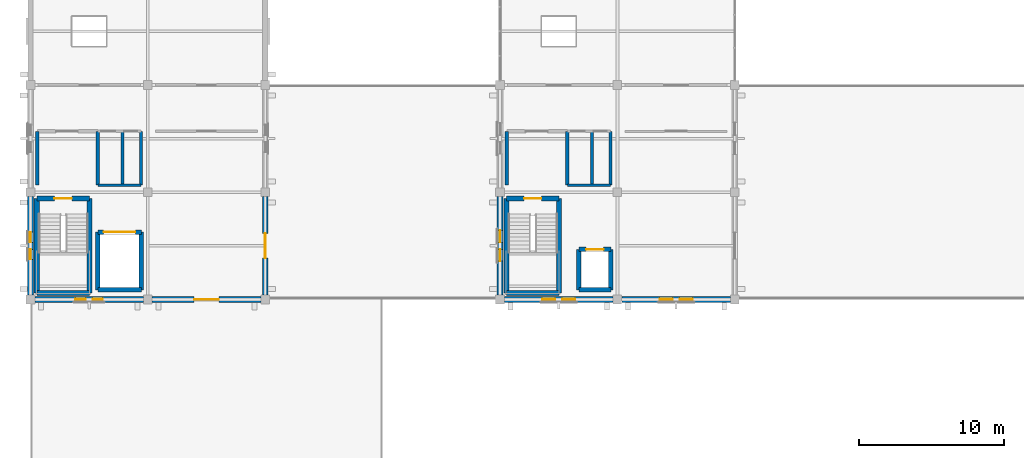
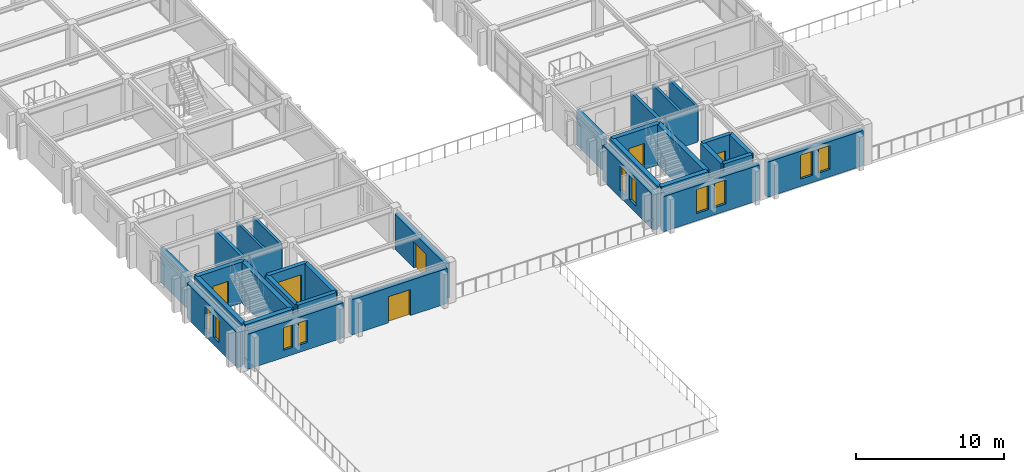
# One storey, part 100 of 121: 33 walls, 10 windows, 6 doors, 16 openings.
"""IFC4 building model written with IfcOpenShell, lengths in metres."""

from ifc_helpers import new_model, si_unit, direction, frame, frame_2d, origin, place, context, subcontext, project, spatial, rectangle, extrude, material, layer, layer_set, type_object, element, fill, save


model = new_model("IFC4")

# Units and contexts
model_context = context("Model", 3, precision=1e-05, world=origin(), true_north=direction((0.0, 1.0)))
body_context = subcontext(model_context, "Body", "Model", "MODEL_VIEW")
ifc_project = project(units=[si_unit("LENGTHUNIT", "METRE"), si_unit("AREAUNIT", "SQUARE_METRE"), si_unit("VOLUMEUNIT", "CUBIC_METRE"), si_unit("PLANEANGLEUNIT", "RADIAN"), si_unit("MASSUNIT", "GRAM", prefix="KILO")], contexts=[model_context])

# Site, building, storey
site_placement = place(None, origin())
site = spatial("IfcSite", under=ifc_project, at=site_placement, CompositionType="ELEMENT")
building_placement = place(site_placement, origin())
building = spatial("IfcBuilding", under=site, at=building_placement, Name="Cimatlan Art Gallery", CompositionType="ELEMENT")
storey_placement = place(building_placement, frame((0.0, 0.0, 10.199951171875)))
storey = spatial("IfcBuildingStorey", under=building, at=storey_placement, Name="L02", CompositionType="ELEMENT", Elevation=10.199951171875)

# Walls
ifc_material_1 = material(Name="Concrete C40/50", Category="concrete")
ifc_layer_1 = layer(ifc_material_1, 0.31005859375)
ifc_layer_set_1 = layer_set([ifc_layer_1], Name="Concrete C40/50")
wall_type_1 = type_object("IfcWallType", Name="W-CORE-310", PredefinedType="SHEAR", material=ifc_layer_set_1)
wall_1_placement = place(storey_placement, frame((6.64990234375, 24.550048828125, 0.0), z_axis=(0.0, 0.0, 1.0), x_axis=(0.0, 1.0, 0.0)))
element("IfcWall", 1, at=wall_1_placement, inside=storey, type_object=wall_type_1, Name="WL-SHFT-C1-L02-LW", PredefinedType="SHEAR", context=body_context, shape_type="SweptSolid", body=[
    extrude(rectangle(XDim=4.0, YDim=0.31005859375, at=frame_2d((2.0, 0.0))), origin(), (0.0, 0.0, 1.0), 3.364990234375),
])
wall_2_placement = place(storey_placement, frame((6.64990234375, 24.550048828125, 0.0), z_axis=(0.0, 0.0, 1.0), x_axis=(1.0, 0.0, 0.0)))
element("IfcWall", 2, at=wall_2_placement, inside=storey, type_object=wall_type_1, Name="WL-SHFT-C1-L02-LS", PredefinedType="SHEAR", context=body_context, shape_type="SweptSolid", body=[
    extrude(rectangle(XDim=3.0, YDim=0.31005859375, at=frame_2d((1.5, 0.0))), origin(), (0.0, 0.0, 1.0), 3.364990234375),
])
wall_3_placement = place(storey_placement, frame((9.64990234375, 24.550048828125, 0.0), z_axis=(0.0, 0.0, 1.0), x_axis=(0.0, 1.0, 0.0)))
element("IfcWall", 3, at=wall_3_placement, inside=storey, type_object=wall_type_1, Name="WL-SHFT-C1-L02-LE", PredefinedType="SHEAR", context=body_context, shape_type="SweptSolid", body=[
    extrude(rectangle(XDim=4.0, YDim=0.31005859375, at=frame_2d((2.0, 0.0))), origin(), (0.0, 0.0, 1.0), 3.364990234375),
])

# Wall, opening, door
wall_4_placement = place(storey_placement, frame((6.64990234375, 28.550048828125, 0.0), z_axis=(0.0, 0.0, 1.0), x_axis=(1.0, 0.0, 0.0)))
wall_4 = element("IfcWall", 4, at=wall_4_placement, inside=storey, type_object=wall_type_1, Name="WL-SHFT-C1-L02-LN", PredefinedType="SHEAR", context=body_context, shape_type="SweptSolid", body=[
    extrude(rectangle(XDim=3.0, YDim=0.31005859375, at=frame_2d((1.5, 0.0))), origin(), (0.0, 0.0, 1.0), 3.364990234375),
])
opening_1_placement = place(wall_4_placement, frame((0.39990234375, 0.0, 0.0)))
opening_1 = element("IfcOpeningElement", 5, at=opening_1_placement, cuts=wall_4, Name="Opening LD-C1-L02", PredefinedType="OPENING", context=body_context, shape_type="SweptSolid", body=[
    extrude(rectangle(XDim=2.199951171875, YDim=2.550048828125, at=frame_2d((1.10009765625, 1.27490234375))), frame((0.0, 0.1650390625, 0.0), z_axis=(0.0, -1.0, 0.0), x_axis=(1.0, 0.0, 0.0)), (0.0, 0.0, 1.0), 0.330078125),
])
ifc_material_2 = material(Name="Heavy-duty bi-parting goods lift landing door")
door_type_1 = type_object("IfcDoorType", Name="LD-GD-2200", OperationType="NOTDEFINED", PredefinedType="DOOR", material=ifc_material_2)
door_1_placement = place(opening_1_placement, origin())
door_1 = element("IfcDoor", 6, at=door_1_placement, inside=storey, type_object=door_type_1, Name="LD-GL-01-L02", OperationType="SLIDING_TO_RIGHT", OverallHeight=2.550048828125, OverallWidth=2.199951171875, PredefinedType="DOOR", context=body_context, shape_type="SweptSolid", body=[
    extrude(rectangle(XDim=2.199951171875, YDim=2.550048828125, at=frame_2d((1.10009765625, 1.27490234375))), frame((0.0, 0.02490234375, 0.0), z_axis=(0.0, -1.0, 0.0), x_axis=(1.0, 0.0, 0.0)), (0.0, 0.0, 1.0), 0.050048828125),
])
fill(opening_1, door_1)

# Walls
wall_5_placement = place(storey_placement, frame((39.85009765625, 24.550048828125, 0.0), z_axis=(0.0, 0.0, 1.0), x_axis=(0.0, 1.0, 0.0)))
element("IfcWall", 7, at=wall_5_placement, inside=storey, type_object=wall_type_1, Name="WL-SHFT-C2-L02-LW", PredefinedType="SHEAR", context=body_context, shape_type="SweptSolid", body=[
    extrude(rectangle(XDim=2.800048828125, YDim=0.31005859375, at=frame_2d((1.39990234375, 0.0))), origin(), (0.0, 0.0, 1.0), 3.364990234375),
])
wall_6_placement = place(storey_placement, frame((39.85009765625, 24.550048828125, 0.0), z_axis=(0.0, 0.0, 1.0), x_axis=(1.0, 0.0, 0.0)))
element("IfcWall", 8, at=wall_6_placement, inside=storey, type_object=wall_type_1, Name="WL-SHFT-C2-L02-LS", PredefinedType="SHEAR", context=body_context, shape_type="SweptSolid", body=[
    extrude(rectangle(XDim=2.199951171875, YDim=0.31005859375, at=frame_2d((1.10009765625, 0.0))), origin(), (0.0, 0.0, 1.0), 3.364990234375),
])
wall_7_placement = place(storey_placement, frame((42.050048828125, 24.550048828125, 0.0), z_axis=(0.0, 0.0, 1.0), x_axis=(0.0, 1.0, 0.0)))
element("IfcWall", 9, at=wall_7_placement, inside=storey, type_object=wall_type_1, Name="WL-SHFT-C2-L02-LE", PredefinedType="SHEAR", context=body_context, shape_type="SweptSolid", body=[
    extrude(rectangle(XDim=2.800048828125, YDim=0.31005859375, at=frame_2d((1.39990234375, 0.0))), origin(), (0.0, 0.0, 1.0), 3.364990234375),
])

# Wall, opening, door
wall_8_placement = place(storey_placement, frame((39.85009765625, 27.35009765625, 0.0), z_axis=(0.0, 0.0, 1.0), x_axis=(1.0, 0.0, 0.0)))
wall_8 = element("IfcWall", 10, at=wall_8_placement, inside=storey, type_object=wall_type_1, Name="WL-SHFT-C2-L02-LN", PredefinedType="SHEAR", context=body_context, shape_type="SweptSolid", body=[
    extrude(rectangle(XDim=2.199951171875, YDim=0.31005859375, at=frame_2d((1.10009765625, 0.0))), origin(), (0.0, 0.0, 1.0), 3.364990234375),
])
opening_2_placement = place(wall_8_placement, frame((0.5, 0.0, 0.0)))
opening_2 = element("IfcOpeningElement", 11, at=opening_2_placement, cuts=wall_8, Name="Opening LD-C2-L02", PredefinedType="OPENING", context=body_context, shape_type="SweptSolid", body=[
    extrude(rectangle(XDim=1.199951171875, YDim=2.14990234375, at=frame_2d((0.60009765625, 1.074951171875))), frame((0.0, 0.1650390625, 0.0), z_axis=(0.0, -1.0, 0.0), x_axis=(1.0, 0.0, 0.0)), (0.0, 0.0, 1.0), 0.330078125),
])
ifc_material_3 = material(Name="Fire-rated sliding firefighting lift landing door")
door_type_2 = type_object("IfcDoorType", Name="LD-FF-1200", OperationType="NOTDEFINED", PredefinedType="DOOR", material=ifc_material_3)
door_2_placement = place(opening_2_placement, origin())
door_2 = element("IfcDoor", 12, at=door_2_placement, inside=storey, type_object=door_type_2, Name="LD-FFL-01-L02", OperationType="SLIDING_TO_RIGHT", OverallHeight=2.14990234375, OverallWidth=1.199951171875, PredefinedType="DOOR", context=body_context, shape_type="SweptSolid", body=[
    extrude(rectangle(XDim=1.199951171875, YDim=2.14990234375, at=frame_2d((0.60009765625, 1.074951171875))), frame((0.0, 0.02490234375, 0.0), z_axis=(0.0, -1.0, 0.0), x_axis=(1.0, 0.0, 0.0)), (0.0, 0.0, 1.0), 0.050048828125),
])
fill(opening_2, door_2)

# Walls
ifc_layer_2 = layer(ifc_material_1, 0.35009765625)
ifc_layer_set_2 = layer_set([ifc_layer_2], Name="Concrete C40/50")
wall_type_2 = type_object("IfcWallType", Name="W-CORE-350", PredefinedType="SHEAR", material=ifc_layer_set_2)
wall_9_placement = place(storey_placement, frame((2.43994140625, 24.340087890625, 0.0), z_axis=(0.0, 0.0, 1.0), x_axis=(0.0, 1.0, 0.0)))
element("IfcWall", 13, at=wall_9_placement, inside=storey, type_object=wall_type_2, Name="WL-CORE-C1-L02-SW", PredefinedType="SHEAR", context=body_context, shape_type="SweptSolid", body=[
    extrude(rectangle(XDim=6.52001953125, YDim=0.35009765625, at=frame_2d((3.260009765625, 0.0))), origin(), (0.0, 0.0, 1.0), 3.364990234375),
])
wall_10_placement = place(storey_placement, frame((2.43994140625, 24.340087890625, 0.0), z_axis=(0.0, 0.0, 1.0), x_axis=(1.0, 0.0, 0.0)))
element("IfcWall", 14, at=wall_10_placement, inside=storey, type_object=wall_type_2, Name="WL-CORE-C1-L02-SS", PredefinedType="SHEAR", context=body_context, shape_type="SweptSolid", body=[
    extrude(rectangle(XDim=3.64013671875, YDim=0.35009765625, at=frame_2d((1.820068359375, 0.0))), origin(), (0.0, 0.0, 1.0), 3.364990234375),
])
wall_11_placement = place(storey_placement, frame((6.080078125, 24.340087890625, 0.0), z_axis=(0.0, 0.0, 1.0), x_axis=(0.0, 1.0, 0.0)))
element("IfcWall", 15, at=wall_11_placement, inside=storey, type_object=wall_type_2, Name="WL-CORE-C1-L02-SE", PredefinedType="SHEAR", context=body_context, shape_type="SweptSolid", body=[
    extrude(rectangle(XDim=6.52001953125, YDim=0.35009765625, at=frame_2d((3.260009765625, 0.0))), origin(), (0.0, 0.0, 1.0), 3.364990234375),
])

# Wall, opening, door
wall_12_placement = place(storey_placement, frame((2.43994140625, 30.860107421875, 0.0), z_axis=(0.0, 0.0, 1.0), x_axis=(1.0, 0.0, 0.0)))
wall_12 = element("IfcWall", 16, at=wall_12_placement, inside=storey, type_object=wall_type_2, Name="WL-CORE-C1-L02-SN", PredefinedType="SHEAR", context=body_context, shape_type="SweptSolid", body=[
    extrude(rectangle(XDim=3.64013671875, YDim=0.35009765625, at=frame_2d((1.820068359375, 0.0))), origin(), (0.0, 0.0, 1.0), 3.364990234375),
])
opening_3_placement = place(wall_12_placement, frame((1.219970703125, 0.0, 0.0)))
opening_3 = element("IfcOpeningElement", 17, at=opening_3_placement, cuts=wall_12, Name="Opening FD-C1-L02", PredefinedType="OPENING", context=body_context, shape_type="SweptSolid", body=[
    extrude(rectangle(XDim=1.199951171875, YDim=2.14990234375, at=frame_2d((0.60009765625, 1.074951171875))), frame((0.0, 0.18505859375, 0.0), z_axis=(0.0, -1.0, 0.0), x_axis=(1.0, 0.0, 0.0)), (0.0, 0.0, 1.0), 0.3701171875),
])
ifc_material_4 = material(Name="Fire-resisting steel acoustic stair door", Category="steel")
door_type_3 = type_object("IfcDoorType", Name="FD-ST-1200", OperationType="NOTDEFINED", PredefinedType="DOOR", material=ifc_material_4)
door_3_placement = place(opening_3_placement, origin())
door_3 = element("IfcDoor", 18, at=door_3_placement, inside=storey, type_object=door_type_3, Name="DR-C1-L02-ST", OperationType="SINGLE_SWING_LEFT", OverallHeight=2.14990234375, OverallWidth=1.199951171875, PredefinedType="DOOR", context=body_context, shape_type="SweptSolid", body=[
    extrude(rectangle(XDim=1.199951171875, YDim=2.14990234375, at=frame_2d((0.60009765625, 1.074951171875))), frame((0.0, 0.02490234375, 0.0), z_axis=(0.0, -1.0, 0.0), x_axis=(1.0, 0.0, 0.0)), (0.0, 0.0, 1.0), 0.050048828125),
])
fill(opening_3, door_3)

# Walls
wall_13_placement = place(storey_placement, frame((34.840087890625, 24.340087890625, 0.0), z_axis=(0.0, 0.0, 1.0), x_axis=(0.0, 1.0, 0.0)))
element("IfcWall", 19, at=wall_13_placement, inside=storey, type_object=wall_type_2, Name="WL-CORE-C2-L02-SW", PredefinedType="SHEAR", context=body_context, shape_type="SweptSolid", body=[
    extrude(rectangle(XDim=6.52001953125, YDim=0.35009765625, at=frame_2d((3.260009765625, 0.0))), origin(), (0.0, 0.0, 1.0), 3.364990234375),
])
wall_14_placement = place(storey_placement, frame((34.840087890625, 24.340087890625, 0.0), z_axis=(0.0, 0.0, 1.0), x_axis=(1.0, 0.0, 0.0)))
element("IfcWall", 20, at=wall_14_placement, inside=storey, type_object=wall_type_2, Name="WL-CORE-C2-L02-SS", PredefinedType="SHEAR", context=body_context, shape_type="SweptSolid", body=[
    extrude(rectangle(XDim=3.639892578125, YDim=0.35009765625, at=frame_2d((1.81982421875, 0.0))), origin(), (0.0, 0.0, 1.0), 3.364990234375),
])
wall_15_placement = place(storey_placement, frame((38.47998046875, 24.340087890625, 0.0), z_axis=(0.0, 0.0, 1.0), x_axis=(0.0, 1.0, 0.0)))
element("IfcWall", 21, at=wall_15_placement, inside=storey, type_object=wall_type_2, Name="WL-CORE-C2-L02-SE", PredefinedType="SHEAR", context=body_context, shape_type="SweptSolid", body=[
    extrude(rectangle(XDim=6.52001953125, YDim=0.35009765625, at=frame_2d((3.260009765625, 0.0))), origin(), (0.0, 0.0, 1.0), 3.364990234375),
])

# Wall, opening, door
wall_16_placement = place(storey_placement, frame((34.840087890625, 30.860107421875, 0.0), z_axis=(0.0, 0.0, 1.0), x_axis=(1.0, 0.0, 0.0)))
wall_16 = element("IfcWall", 22, at=wall_16_placement, inside=storey, type_object=wall_type_2, Name="WL-CORE-C2-L02-SN", PredefinedType="SHEAR", context=body_context, shape_type="SweptSolid", body=[
    extrude(rectangle(XDim=3.639892578125, YDim=0.35009765625, at=frame_2d((1.81982421875, 0.0))), origin(), (0.0, 0.0, 1.0), 3.364990234375),
])
opening_4_placement = place(wall_16_placement, frame((1.219970703125, 0.0, 0.0)))
opening_4 = element("IfcOpeningElement", 23, at=opening_4_placement, cuts=wall_16, Name="Opening FD-C2-L02", PredefinedType="OPENING", context=body_context, shape_type="SweptSolid", body=[
    extrude(rectangle(XDim=1.199951171875, YDim=2.14990234375, at=frame_2d((0.60009765625, 1.074951171875))), frame((0.0, 0.18505859375, 0.0), z_axis=(0.0, -1.0, 0.0), x_axis=(1.0, 0.0, 0.0)), (0.0, 0.0, 1.0), 0.3701171875),
])
door_4_placement = place(opening_4_placement, origin())
door_4 = element("IfcDoor", 24, at=door_4_placement, inside=storey, type_object=door_type_3, Name="DR-C2-L02-ST", OperationType="SINGLE_SWING_LEFT", OverallHeight=2.14990234375, OverallWidth=1.199951171875, PredefinedType="DOOR", context=body_context, shape_type="SweptSolid", body=[
    extrude(rectangle(XDim=1.199951171875, YDim=2.14990234375, at=frame_2d((0.60009765625, 1.074951171875))), frame((0.0, 0.02490234375, 0.0), z_axis=(0.0, -1.0, 0.0), x_axis=(1.0, 0.0, 0.0)), (0.0, 0.0, 1.0), 0.050048828125),
])
fill(opening_4, door_4)

# Walls
ifc_material_5 = material(Name="Precast concrete C40/50", Category="concrete")
ifc_layer_3 = layer(ifc_material_5, 0.2451171875)
ifc_layer_set_3 = layer_set([ifc_layer_3], Name="Precast concrete C40/50")
wall_type_3 = type_object("IfcWallType", Name="W-FFL-245", PredefinedType="PARTITIONING", material=ifc_layer_set_3)
for number, where, z_axis, x_axis, name in (
    (25, (2.47998046875, 31.780029296875, 0.0), (0.0, 0.0, 1.0), (0.0, 1.0, 0.0), "WL-LOB-C1-L02-W"),
    (26, (6.64990234375, 31.780029296875, 0.0), (0.0, 0.0, 1.0), (0.0, 1.0, 0.0), "WL-LOB-C1-L02-M"),
    (27, (34.8798828125, 31.780029296875, 0.0), (0.0, 0.0, 1.0), (0.0, 1.0, 0.0), "WL-LOB-C2-L02-W"),
    (28, (39.050048828125, 31.780029296875, 0.0), (0.0, 0.0, 1.0), (0.0, 1.0, 0.0), "WL-LOB-C2-L02-M"),
):
    element("IfcWall", number, at=place(storey_placement, frame(where, z_axis=z_axis, x_axis=x_axis)), inside=storey, type_object=wall_type_3, Name=name, PredefinedType="PARTITIONING", context=body_context, shape_type="SweptSolid", body=[
        extrude(rectangle(XDim=3.719970703125, YDim=0.2451171875, at=frame_2d((1.85986328125, 0.0))), origin(), (0.0, 0.0, 1.0), 2.903076171875),
    ])
ifc_material_6 = material(Name="Moisture-resistant fire-rated plumbing wall")
ifc_layer_4 = layer(ifc_material_6, 0.195068359375)
ifc_layer_set_4 = layer_set([ifc_layer_4], Name="Moisture-resistant fire-rated plumbing wall")
wall_type_4 = type_object("IfcWallType", Name="W-PLM-195", PredefinedType="PARTITIONING", material=ifc_layer_set_4)
for number, where, z_axis, x_axis, name in (
    (29, (8.35009765625, 31.780029296875, 0.0), (0.0, 0.0, 1.0), (0.0, 1.0, 0.0), "WL-LOB-C1-L02-D"),
    (30, (9.6201171875, 31.780029296875, 0.0), (0.0, 0.0, 1.0), (0.0, 1.0, 0.0), "WL-LOB-C1-L02-E"),
):
    element("IfcWall", number, at=place(storey_placement, frame(where, z_axis=z_axis, x_axis=x_axis)), inside=storey, type_object=wall_type_4, Name=name, PredefinedType="PARTITIONING", context=body_context, shape_type="SweptSolid", body=[
        extrude(rectangle(XDim=3.719970703125, YDim=0.195068359375, at=frame_2d((1.85986328125, 0.0))), origin(), (0.0, 0.0, 1.0), 2.903076171875),
    ])
wall_17_placement = place(storey_placement, frame((6.64990234375, 31.780029296875, 0.0), z_axis=(0.0, 0.0, 1.0), x_axis=(1.0, 0.0, 0.0)))
element("IfcWall", 31, at=wall_17_placement, inside=storey, type_object=wall_type_4, Name="WL-LOB-C1-L02-S", PredefinedType="PARTITIONING", context=body_context, shape_type="SweptSolid", body=[
    extrude(rectangle(XDim=2.97021484375, YDim=0.195068359375, at=frame_2d((1.485107421875, 0.0))), origin(), (0.0, 0.0, 1.0), 2.903076171875),
])
for number, where, z_axis, x_axis, name in (
    (32, (40.75, 31.780029296875, 0.0), (0.0, 0.0, 1.0), (0.0, 1.0, 0.0), "WL-LOB-C2-L02-D"),
    (33, (42.02001953125, 31.780029296875, 0.0), (0.0, 0.0, 1.0), (0.0, 1.0, 0.0), "WL-LOB-C2-L02-E"),
):
    element("IfcWall", number, at=place(storey_placement, frame(where, z_axis=z_axis, x_axis=x_axis)), inside=storey, type_object=wall_type_4, Name=name, PredefinedType="PARTITIONING", context=body_context, shape_type="SweptSolid", body=[
        extrude(rectangle(XDim=3.719970703125, YDim=0.195068359375, at=frame_2d((1.85986328125, 0.0))), origin(), (0.0, 0.0, 1.0), 2.903076171875),
    ])
wall_18_placement = place(storey_placement, frame((39.050048828125, 31.780029296875, 0.0), z_axis=(0.0, 0.0, 1.0), x_axis=(1.0, 0.0, 0.0)))
element("IfcWall", 34, at=wall_18_placement, inside=storey, type_object=wall_type_4, Name="WL-LOB-C2-L02-S", PredefinedType="PARTITIONING", context=body_context, shape_type="SweptSolid", body=[
    extrude(rectangle(XDim=2.969970703125, YDim=0.195068359375, at=frame_2d((1.48486328125, 0.0))), origin(), (0.0, 0.0, 1.0), 2.903076171875),
])

# Wall, openings, windows
ifc_layer_5 = layer(ifc_material_5, 0.39990234375)
ifc_layer_set_5 = layer_set([ifc_layer_5], Name="Precast concrete C40/50")
wall_type_5 = type_object("IfcWallType", Name="WL-EXT-CAN-400", PredefinedType="SOLIDWALL", material=ifc_layer_set_5)
wall_19_placement = place(storey_placement, frame((9.7958984375, 23.89990234375, 0.0), z_axis=(0.0, 0.0, 1.0), x_axis=(-1.0, 0.0, 0.0)))
wall_19 = element("IfcWall", 35, at=wall_19_placement, inside=storey, type_object=wall_type_5, Name="WL-EXT-L02-00-03-S", PredefinedType="SOLIDWALL", context=body_context, shape_type="SweptSolid", body=[
    extrude(rectangle(XDim=7.491943359375, YDim=0.39990234375, at=frame_2d((3.74609375, 0.0))), origin(), (0.0, 0.0, 1.0), 2.89794921875),
])
opening_5_placement = place(wall_19_placement, frame((2.805908203125, 0.0, 0.60009765625)))
opening_5 = element("IfcOpeningElement", 36, at=opening_5_placement, cuts=wall_19, Name="Opening WN-0125", PredefinedType="OPENING", context=body_context, shape_type="SweptSolid", body=[
    extrude(rectangle(XDim=0.699951171875, YDim=1.860107421875, at=frame_2d((0.35009765625, 0.93017578125))), frame((0.0, 0.2099609375, 0.0), z_axis=(0.0, -1.0, 0.0), x_axis=(1.0, 0.0, 0.0)), (0.0, 0.0, 1.0), 0.419921875),
])
opening_6_placement = place(wall_19_placement, frame((3.986083984375, 0.0, 0.60009765625)))
opening_6 = element("IfcOpeningElement", 37, at=opening_6_placement, cuts=wall_19, Name="Opening WN-0126", PredefinedType="OPENING", context=body_context, shape_type="SweptSolid", body=[
    extrude(rectangle(XDim=0.699951171875, YDim=1.860107421875, at=frame_2d((0.35009765625, 0.93017578125))), frame((0.0, 0.2099609375, 0.0), z_axis=(0.0, -1.0, 0.0), x_axis=(1.0, 0.0, 0.0)), (0.0, 0.0, 1.0), 0.419921875),
])
ifc_material_7 = material(Name="Low-E laminated double glazing in bronze lancet frame", Category="glass")
window_type_1 = type_object("IfcWindowType", Name="WIN-CNS-L02-0700X1860", PartitioningType="SINGLE_PANEL", PredefinedType="WINDOW", material=ifc_material_7)
window_1_placement = place(opening_5_placement, origin())
window_1 = element("IfcWindow", 38, at=window_1_placement, inside=storey, type_object=window_type_1, Name="WIN-0125", OverallHeight=1.860107421875, OverallWidth=0.699951171875, PartitioningType="SINGLE_PANEL", PredefinedType="WINDOW", context=body_context, shape_type="SweptSolid", body=[
    extrude(rectangle(XDim=0.699951171875, YDim=1.860107421875, at=frame_2d((0.35009765625, 0.93017578125))), frame((0.0, 0.030029296875, 0.0), z_axis=(0.0, -1.0, 0.0), x_axis=(1.0, 0.0, 0.0)), (0.0, 0.0, 1.0), 0.06005859375),
])
fill(opening_5, window_1)
window_2_placement = place(opening_6_placement, origin())
window_2 = element("IfcWindow", 39, at=window_2_placement, inside=storey, type_object=window_type_1, Name="WIN-0126", OverallHeight=1.860107421875, OverallWidth=0.699951171875, PartitioningType="SINGLE_PANEL", PredefinedType="WINDOW", context=body_context, shape_type="SweptSolid", body=[
    extrude(rectangle(XDim=0.699951171875, YDim=1.860107421875, at=frame_2d((0.35009765625, 0.93017578125))), frame((0.0, 0.030029296875, 0.0), z_axis=(0.0, -1.0, 0.0), x_axis=(1.0, 0.0, 0.0)), (0.0, 0.0, 1.0), 0.06005859375),
])
fill(opening_6, window_2)

wall_20_placement = place(storey_placement, frame((2.0, 24.2041015625, 0.0), z_axis=(0.0, 0.0, 1.0), x_axis=(0.0, 1.0, 0.0)))
wall_20 = element("IfcWall", 40, at=wall_20_placement, inside=storey, type_object=wall_type_5, Name="WL-EXT-L02-00-03-W", PredefinedType="SOLIDWALL", context=body_context, shape_type="SweptSolid", body=[
    extrude(rectangle(XDim=6.7919921875, YDim=0.39990234375, at=frame_2d((3.39599609375, 0.0))), origin(), (0.0, 0.0, 1.0), 2.89794921875),
])
opening_7_placement = place(wall_20_placement, frame((2.4560546875, 0.0, 0.60009765625)))
opening_7 = element("IfcOpeningElement", 41, at=opening_7_placement, cuts=wall_20, Name="Opening WN-0127", PredefinedType="OPENING", context=body_context, shape_type="SweptSolid", body=[
    extrude(rectangle(XDim=0.699951171875, YDim=1.860107421875, at=frame_2d((0.35009765625, 0.93017578125))), frame((0.0, 0.2099609375, 0.0), z_axis=(0.0, -1.0, 0.0), x_axis=(1.0, 0.0, 0.0)), (0.0, 0.0, 1.0), 0.419921875),
])
opening_8_placement = place(wall_20_placement, frame((3.635986328125, 0.0, 0.60009765625)))
opening_8 = element("IfcOpeningElement", 42, at=opening_8_placement, cuts=wall_20, Name="Opening WN-0128", PredefinedType="OPENING", context=body_context, shape_type="SweptSolid", body=[
    extrude(rectangle(XDim=0.699951171875, YDim=1.860107421875, at=frame_2d((0.35009765625, 0.93017578125))), frame((0.0, 0.2099609375, 0.0), z_axis=(0.0, -1.0, 0.0), x_axis=(1.0, 0.0, 0.0)), (0.0, 0.0, 1.0), 0.419921875),
])
window_3_placement = place(opening_7_placement, origin())
window_3 = element("IfcWindow", 43, at=window_3_placement, inside=storey, type_object=window_type_1, Name="WIN-0127", OverallHeight=1.860107421875, OverallWidth=0.699951171875, PartitioningType="SINGLE_PANEL", PredefinedType="WINDOW", context=body_context, shape_type="SweptSolid", body=[
    extrude(rectangle(XDim=0.699951171875, YDim=1.860107421875, at=frame_2d((0.35009765625, 0.93017578125))), frame((0.0, 0.030029296875, 0.0), z_axis=(0.0, -1.0, 0.0), x_axis=(1.0, 0.0, 0.0)), (0.0, 0.0, 1.0), 0.06005859375),
])
fill(opening_7, window_3)
window_4_placement = place(opening_8_placement, origin())
window_4 = element("IfcWindow", 44, at=window_4_placement, inside=storey, type_object=window_type_1, Name="WIN-0128", OverallHeight=1.860107421875, OverallWidth=0.699951171875, PartitioningType="SINGLE_PANEL", PredefinedType="WINDOW", context=body_context, shape_type="SweptSolid", body=[
    extrude(rectangle(XDim=0.699951171875, YDim=1.860107421875, at=frame_2d((0.35009765625, 0.93017578125))), frame((0.0, 0.030029296875, 0.0), z_axis=(0.0, -1.0, 0.0), x_axis=(1.0, 0.0, 0.0)), (0.0, 0.0, 1.0), 0.06005859375),
])
fill(opening_8, window_4)

# Wall, opening, door
wall_21_placement = place(storey_placement, frame((17.89599609375, 23.89990234375, 0.0), z_axis=(0.0, 0.0, 1.0), x_axis=(-1.0, 0.0, 0.0)))
wall_21 = element("IfcWall", 45, at=wall_21_placement, inside=storey, type_object=wall_type_5, Name="WL-EXT-L02-01-03-S", PredefinedType="SOLIDWALL", context=body_context, shape_type="SweptSolid", body=[
    extrude(rectangle(XDim=7.491943359375, YDim=0.39990234375, at=frame_2d((3.74609375, 0.0))), origin(), (0.0, 0.0, 1.0), 2.89794921875),
])
opening_9_placement = place(wall_21_placement, frame((2.89599609375, 0.0, 0.0)))
opening_9 = element("IfcOpeningElement", 46, at=opening_9_placement, cuts=wall_21, Name="Opening D-L02-T10", PredefinedType="OPENING", context=body_context, shape_type="SweptSolid", body=[
    extrude(rectangle(XDim=1.699951171875, YDim=2.14990234375, at=frame_2d((0.85009765625, 1.074951171875))), frame((0.0, 0.2099609375, 0.0), z_axis=(0.0, -1.0, 0.0), x_axis=(1.0, 0.0, 0.0)), (0.0, 0.0, 1.0), 0.419921875),
])
ifc_material_8 = material(Name="Anodised bronze and laminated safety glass door", Category="glass")
door_type_4 = type_object("IfcDoorType", Name="DE-TR-1700", OperationType="NOTDEFINED", PredefinedType="DOOR", material=ifc_material_8)
door_5_placement = place(opening_9_placement, origin())
door_5 = element("IfcDoor", 47, at=door_5_placement, inside=storey, type_object=door_type_4, Name="D-L02-T10", OperationType="SINGLE_SWING_LEFT", OverallHeight=2.14990234375, OverallWidth=1.699951171875, PredefinedType="DOOR", context=body_context, shape_type="SweptSolid", body=[
    extrude(rectangle(XDim=1.699951171875, YDim=2.14990234375, at=frame_2d((0.85009765625, 1.074951171875))), frame((0.0, 0.02490234375, 0.0), z_axis=(0.0, -1.0, 0.0), x_axis=(1.0, 0.0, 0.0)), (0.0, 0.0, 1.0), 0.050048828125),
])
fill(opening_9, door_5)

wall_22_placement = place(storey_placement, frame((18.199951171875, 30.99609375, 0.0), z_axis=(0.0, 0.0, 1.0), x_axis=(0.0, -1.0, 0.0)))
wall_22 = element("IfcWall", 48, at=wall_22_placement, inside=storey, type_object=wall_type_5, Name="WL-EXT-L02-01-03-E", PredefinedType="SOLIDWALL", context=body_context, shape_type="SweptSolid", body=[
    extrude(rectangle(XDim=6.7919921875, YDim=0.39990234375, at=frame_2d((3.39599609375, 0.0))), origin(), (0.0, 0.0, 1.0), 2.89794921875),
])
opening_10_placement = place(wall_22_placement, frame((2.5458984375, 0.0, 0.0)))
opening_10 = element("IfcOpeningElement", 49, at=opening_10_placement, cuts=wall_22, Name="Opening D-L02-T06", PredefinedType="OPENING", context=body_context, shape_type="SweptSolid", body=[
    extrude(rectangle(XDim=1.699951171875, YDim=2.14990234375, at=frame_2d((0.85009765625, 1.074951171875))), frame((0.0, 0.2099609375, 0.0), z_axis=(0.0, -1.0, 0.0), x_axis=(1.0, 0.0, 0.0)), (0.0, 0.0, 1.0), 0.419921875),
])
door_6_placement = place(opening_10_placement, origin())
door_6 = element("IfcDoor", 50, at=door_6_placement, inside=storey, type_object=door_type_4, Name="D-L02-T06", OperationType="SINGLE_SWING_LEFT", OverallHeight=2.14990234375, OverallWidth=1.699951171875, PredefinedType="DOOR", context=body_context, shape_type="SweptSolid", body=[
    extrude(rectangle(XDim=1.699951171875, YDim=2.14990234375, at=frame_2d((0.85009765625, 1.074951171875))), frame((0.0, 0.02490234375, 0.0), z_axis=(0.0, -1.0, 0.0), x_axis=(1.0, 0.0, 0.0)), (0.0, 0.0, 1.0), 0.050048828125),
])
fill(opening_10, door_6)

# Wall, openings, windows
wall_23_placement = place(storey_placement, frame((42.196044921875, 23.89990234375, 0.0), z_axis=(0.0, 0.0, 1.0), x_axis=(-1.0, 0.0, 0.0)))
wall_23 = element("IfcWall", 51, at=wall_23_placement, inside=storey, type_object=wall_type_5, Name="WL-EXT-L02-04-03-S", PredefinedType="SOLIDWALL", context=body_context, shape_type="SweptSolid", body=[
    extrude(rectangle(XDim=7.491943359375, YDim=0.39990234375, at=frame_2d((3.74609375, 0.0))), origin(), (0.0, 0.0, 1.0), 2.89794921875),
])
opening_11_placement = place(wall_23_placement, frame((2.60595703125, 0.0, 0.60009765625)))
opening_11 = element("IfcOpeningElement", 52, at=opening_11_placement, cuts=wall_23, Name="Opening WN-0141", PredefinedType="OPENING", context=body_context, shape_type="SweptSolid", body=[
    extrude(rectangle(XDim=0.89990234375, YDim=1.97998046875, at=frame_2d((0.449951171875, 0.989990234375))), frame((0.0, 0.2099609375, 0.0), z_axis=(0.0, -1.0, 0.0), x_axis=(1.0, 0.0, 0.0)), (0.0, 0.0, 1.0), 0.419921875),
])
opening_12_placement = place(wall_23_placement, frame((3.986083984375, 0.0, 0.60009765625)))
opening_12 = element("IfcOpeningElement", 53, at=opening_12_placement, cuts=wall_23, Name="Opening WN-0142", PredefinedType="OPENING", context=body_context, shape_type="SweptSolid", body=[
    extrude(rectangle(XDim=0.89990234375, YDim=1.97998046875, at=frame_2d((0.449951171875, 0.989990234375))), frame((0.0, 0.2099609375, 0.0), z_axis=(0.0, -1.0, 0.0), x_axis=(1.0, 0.0, 0.0)), (0.0, 0.0, 1.0), 0.419921875),
])
window_type_2 = type_object("IfcWindowType", Name="WIN-S-L02-0900X1980", PartitioningType="SINGLE_PANEL", PredefinedType="WINDOW", material=ifc_material_7)
window_5_placement = place(opening_11_placement, origin())
window_5 = element("IfcWindow", 54, at=window_5_placement, inside=storey, type_object=window_type_2, Name="WIN-0141", OverallHeight=1.97998046875, OverallWidth=0.89990234375, PartitioningType="SINGLE_PANEL", PredefinedType="WINDOW", context=body_context, shape_type="SweptSolid", body=[
    extrude(rectangle(XDim=0.89990234375, YDim=1.97998046875, at=frame_2d((0.449951171875, 0.989990234375))), frame((0.0, 0.030029296875, 0.0), z_axis=(0.0, -1.0, 0.0), x_axis=(1.0, 0.0, 0.0)), (0.0, 0.0, 1.0), 0.06005859375),
])
fill(opening_11, window_5)
window_6_placement = place(opening_12_placement, origin())
window_6 = element("IfcWindow", 55, at=window_6_placement, inside=storey, type_object=window_type_2, Name="WIN-0142", OverallHeight=1.97998046875, OverallWidth=0.89990234375, PartitioningType="SINGLE_PANEL", PredefinedType="WINDOW", context=body_context, shape_type="SweptSolid", body=[
    extrude(rectangle(XDim=0.89990234375, YDim=1.97998046875, at=frame_2d((0.449951171875, 0.989990234375))), frame((0.0, 0.030029296875, 0.0), z_axis=(0.0, -1.0, 0.0), x_axis=(1.0, 0.0, 0.0)), (0.0, 0.0, 1.0), 0.06005859375),
])
fill(opening_12, window_6)

wall_24_placement = place(storey_placement, frame((34.39990234375, 24.2041015625, 0.0), z_axis=(0.0, 0.0, 1.0), x_axis=(0.0, 1.0, 0.0)))
wall_24 = element("IfcWall", 56, at=wall_24_placement, inside=storey, type_object=wall_type_5, Name="WL-EXT-L02-04-03-W", PredefinedType="SOLIDWALL", context=body_context, shape_type="SweptSolid", body=[
    extrude(rectangle(XDim=6.7919921875, YDim=0.39990234375, at=frame_2d((3.39599609375, 0.0))), origin(), (0.0, 0.0, 1.0), 2.89794921875),
])
opening_13_placement = place(wall_24_placement, frame((2.3359375, 0.0, 0.60009765625)))
opening_13 = element("IfcOpeningElement", 57, at=opening_13_placement, cuts=wall_24, Name="Opening WN-0143", PredefinedType="OPENING", context=body_context, shape_type="SweptSolid", body=[
    extrude(rectangle(XDim=0.820068359375, YDim=2.0, at=frame_2d((0.41015625, 1.0))), frame((0.0, 0.2099609375, 0.0), z_axis=(0.0, -1.0, 0.0), x_axis=(1.0, 0.0, 0.0)), (0.0, 0.0, 1.0), 0.419921875),
])
opening_14_placement = place(wall_24_placement, frame((3.635986328125, 0.0, 0.60009765625)))
opening_14 = element("IfcOpeningElement", 58, at=opening_14_placement, cuts=wall_24, Name="Opening WN-0144", PredefinedType="OPENING", context=body_context, shape_type="SweptSolid", body=[
    extrude(rectangle(XDim=0.820068359375, YDim=2.0, at=frame_2d((0.41015625, 1.0))), frame((0.0, 0.2099609375, 0.0), z_axis=(0.0, -1.0, 0.0), x_axis=(1.0, 0.0, 0.0)), (0.0, 0.0, 1.0), 0.419921875),
])
window_type_3 = type_object("IfcWindowType", Name="WIN-W-L02-0820X2000", PartitioningType="SINGLE_PANEL", PredefinedType="WINDOW", material=ifc_material_7)
window_7_placement = place(opening_13_placement, origin())
window_7 = element("IfcWindow", 59, at=window_7_placement, inside=storey, type_object=window_type_3, Name="WIN-0143", OverallHeight=2.0, OverallWidth=0.820068359375, PartitioningType="SINGLE_PANEL", PredefinedType="WINDOW", context=body_context, shape_type="SweptSolid", body=[
    extrude(rectangle(XDim=0.820068359375, YDim=2.0, at=frame_2d((0.41015625, 1.0))), frame((0.0, 0.030029296875, 0.0), z_axis=(0.0, -1.0, 0.0), x_axis=(1.0, 0.0, 0.0)), (0.0, 0.0, 1.0), 0.06005859375),
])
fill(opening_13, window_7)
window_8_placement = place(opening_14_placement, origin())
window_8 = element("IfcWindow", 60, at=window_8_placement, inside=storey, type_object=window_type_3, Name="WIN-0144", OverallHeight=2.0, OverallWidth=0.820068359375, PartitioningType="SINGLE_PANEL", PredefinedType="WINDOW", context=body_context, shape_type="SweptSolid", body=[
    extrude(rectangle(XDim=0.820068359375, YDim=2.0, at=frame_2d((0.41015625, 1.0))), frame((0.0, 0.030029296875, 0.0), z_axis=(0.0, -1.0, 0.0), x_axis=(1.0, 0.0, 0.0)), (0.0, 0.0, 1.0), 0.06005859375),
])
fill(opening_14, window_8)

wall_25_placement = place(storey_placement, frame((50.2958984375, 23.89990234375, 0.0), z_axis=(0.0, 0.0, 1.0), x_axis=(-1.0, 0.0, 0.0)))
wall_25 = element("IfcWall", 61, at=wall_25_placement, inside=storey, type_object=wall_type_5, Name="WL-EXT-L02-05-03-S", PredefinedType="SOLIDWALL", context=body_context, shape_type="SweptSolid", body=[
    extrude(rectangle(XDim=7.491943359375, YDim=0.39990234375, at=frame_2d((3.74609375, 0.0))), origin(), (0.0, 0.0, 1.0), 2.89794921875),
])
opening_15_placement = place(wall_25_placement, frame((2.60595703125, 0.0, 0.60009765625)))
opening_15 = element("IfcOpeningElement", 62, at=opening_15_placement, cuts=wall_25, Name="Opening WN-0155", PredefinedType="OPENING", context=body_context, shape_type="SweptSolid", body=[
    extrude(rectangle(XDim=0.89990234375, YDim=1.97998046875, at=frame_2d((0.449951171875, 0.989990234375))), frame((0.0, 0.2099609375, 0.0), z_axis=(0.0, -1.0, 0.0), x_axis=(1.0, 0.0, 0.0)), (0.0, 0.0, 1.0), 0.419921875),
])
opening_16_placement = place(wall_25_placement, frame((3.986083984375, 0.0, 0.60009765625)))
opening_16 = element("IfcOpeningElement", 63, at=opening_16_placement, cuts=wall_25, Name="Opening WN-0156", PredefinedType="OPENING", context=body_context, shape_type="SweptSolid", body=[
    extrude(rectangle(XDim=0.89990234375, YDim=1.97998046875, at=frame_2d((0.449951171875, 0.989990234375))), frame((0.0, 0.2099609375, 0.0), z_axis=(0.0, -1.0, 0.0), x_axis=(1.0, 0.0, 0.0)), (0.0, 0.0, 1.0), 0.419921875),
])
window_9_placement = place(opening_15_placement, origin())
window_9 = element("IfcWindow", 64, at=window_9_placement, inside=storey, type_object=window_type_2, Name="WIN-0155", OverallHeight=1.97998046875, OverallWidth=0.89990234375, PartitioningType="SINGLE_PANEL", PredefinedType="WINDOW", context=body_context, shape_type="SweptSolid", body=[
    extrude(rectangle(XDim=0.89990234375, YDim=1.97998046875, at=frame_2d((0.449951171875, 0.989990234375))), frame((0.0, 0.030029296875, 0.0), z_axis=(0.0, -1.0, 0.0), x_axis=(1.0, 0.0, 0.0)), (0.0, 0.0, 1.0), 0.06005859375),
])
fill(opening_15, window_9)
window_10_placement = place(opening_16_placement, origin())
window_10 = element("IfcWindow", 65, at=window_10_placement, inside=storey, type_object=window_type_2, Name="WIN-0156", OverallHeight=1.97998046875, OverallWidth=0.89990234375, PartitioningType="SINGLE_PANEL", PredefinedType="WINDOW", context=body_context, shape_type="SweptSolid", body=[
    extrude(rectangle(XDim=0.89990234375, YDim=1.97998046875, at=frame_2d((0.449951171875, 0.989990234375))), frame((0.0, 0.030029296875, 0.0), z_axis=(0.0, -1.0, 0.0), x_axis=(1.0, 0.0, 0.0)), (0.0, 0.0, 1.0), 0.06005859375),
])
fill(opening_16, window_10)

save(model, "model.ifc")
